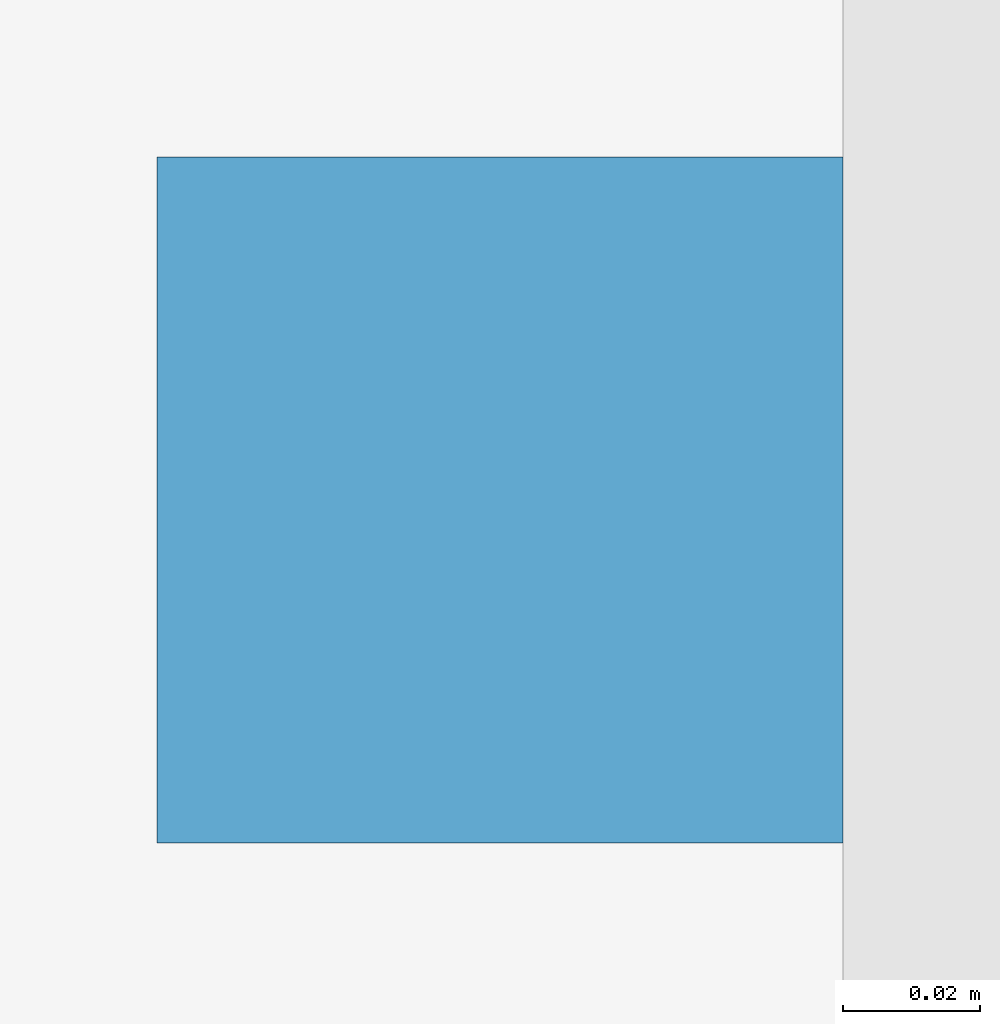
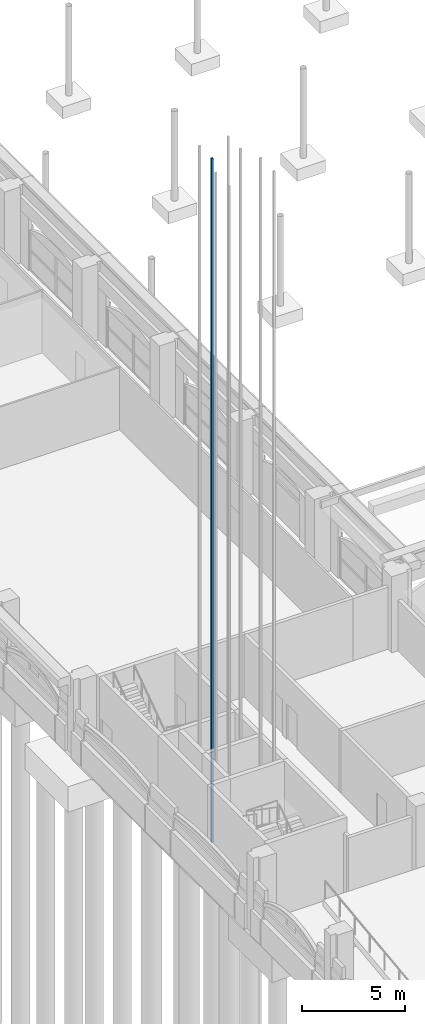
# One storey, part 48 of 99: 1 discrete accessory.
"""IFC4 building model written with IfcOpenShell, lengths in metres."""

from ifc_helpers import new_model, si_unit, direction, frame, origin, origin_2d, place, context, subcontext, project, spatial, rectangle, extrude, material, type_object, element, save


model = new_model("IFC4")

# Units and contexts
model_context = context("Model", 3, precision=1e-05, world=origin(), true_north=direction((0.0, 1.0)))
body_context = subcontext(model_context, "Body", "Model", "MODEL_VIEW")
ifc_project = project(units=[si_unit("LENGTHUNIT", "METRE"), si_unit("AREAUNIT", "SQUARE_METRE"), si_unit("VOLUMEUNIT", "CUBIC_METRE"), si_unit("PLANEANGLEUNIT", "RADIAN"), si_unit("MASSUNIT", "GRAM", prefix="KILO")], contexts=[model_context])

# Site, building, storey
site_placement = place(None, origin())
site = spatial("IfcSite", under=ifc_project, at=site_placement, CompositionType="ELEMENT")
building_placement = place(site_placement, origin())
building = spatial("IfcBuilding", under=site, at=building_placement, Name="Cour d'Honneur Mobility Palace", CompositionType="ELEMENT")
storey_placement = place(building_placement, origin())
storey = spatial("IfcBuildingStorey", under=building, at=storey_placement, Name="L00", CompositionType="ELEMENT", Elevation=0.0)

# Discrete accessory
ifc_material = material(Name="Steel S355", Category="steel")
discrete_accessory_type = type_object("IfcDiscreteAccessoryType", Name="Lift guide rail", PredefinedType="USERDEFINED", material=ifc_material)
discrete_accessory_placement = place(storey_placement, frame((2.425048828125, 54.199951171875, -1.39990234375), z_axis=(0.0, 0.0, 1.0), x_axis=(1.0, 0.0, 0.0)))
element("IfcDiscreteAccessory", 1, at=discrete_accessory_placement, inside=storey, type_object=discrete_accessory_type, Name="Guide rail LF-CW2", ObjectType="GUIDE RAIL", PredefinedType="USERDEFINED", context=body_context, shape_type="SweptSolid", body=[
    extrude(rectangle(XDim=0.10009765625, YDim=0.10009765625, at=origin_2d()), origin(), (0.0, 0.0, 1.0), 40.449951171875),
])

save(model, "model.ifc")
